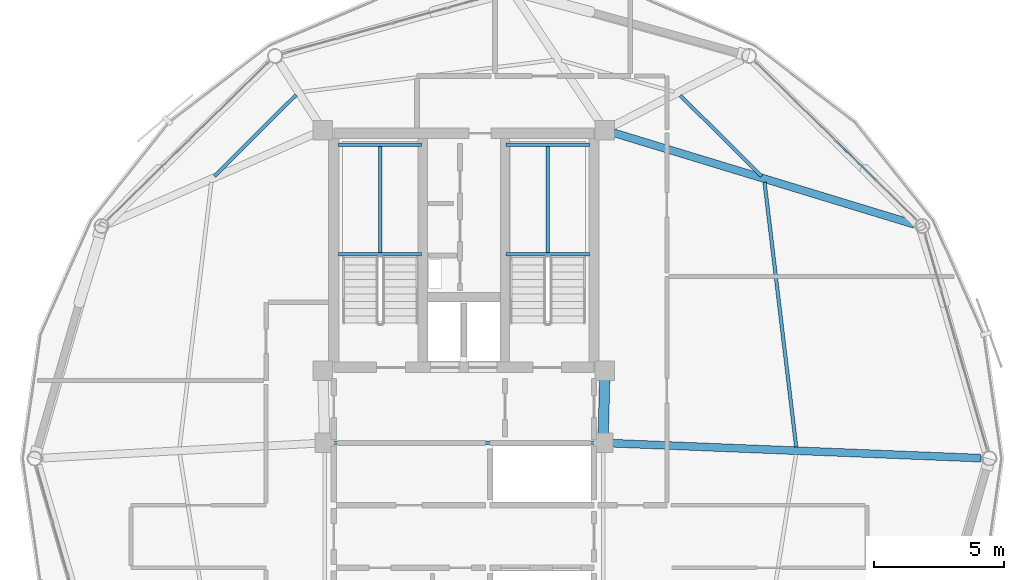
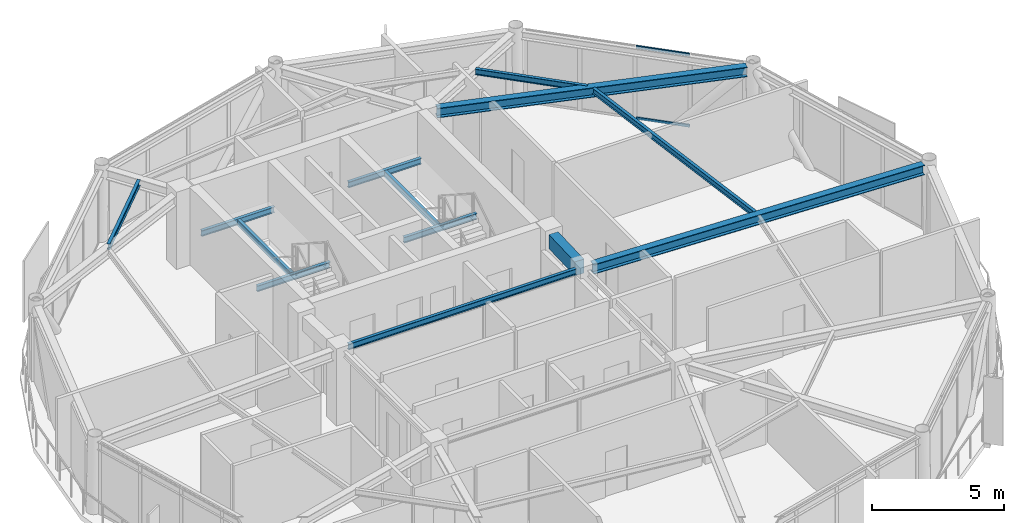
# One storey, part 14 of 26: 13 beams, 2 members, 1 element without a shape of its own.
"""IFC4 building model written with IfcOpenShell, lengths in metres."""

from ifc_helpers import new_model, si_unit, direction, frame, origin, origin_2d, place, context, subcontext, project, spatial, rectangle, hollow_rectangle, i_section, extrude, material, layer, layer_set, material_profile, profile_set, type_object, element, aggregate, save


model = new_model("IFC4")

# Units and contexts
model_context = context("Model", 3, precision=1e-05, world=origin(), true_north=direction((0.0, 1.0)))
body_context = subcontext(model_context, "Body", "Model", "MODEL_VIEW")
ifc_project = project(units=[si_unit("LENGTHUNIT", "METRE"), si_unit("AREAUNIT", "SQUARE_METRE"), si_unit("VOLUMEUNIT", "CUBIC_METRE"), si_unit("PLANEANGLEUNIT", "RADIAN"), si_unit("MASSUNIT", "GRAM", prefix="KILO")], contexts=[model_context])

# Site, building, storey
site_placement = place(None, origin())
site = spatial("IfcSite", under=ifc_project, at=site_placement, CompositionType="ELEMENT")
building_placement = place(site_placement, origin())
building = spatial("IfcBuilding", under=site, at=building_placement, Name="Varnakorn Sky Granary", CompositionType="ELEMENT")
storey_placement = place(building_placement, frame((0.0, 0.0, 256.199951171875)))
storey = spatial("IfcBuildingStorey", under=building, at=storey_placement, Name="L65", CompositionType="ELEMENT", Elevation=256.199951171875)

# Beams
ifc_material_1 = material(Name="Concrete C50/60", Category="concrete")
ifc_material_profile_1 = material_profile(ifc_material_1, rectangle(XDim=0.39990234375, YDim=0.64990234375, at=origin_2d()), Name="RC 400x650")
ifc_profile_set_1 = profile_set([ifc_material_profile_1], Name="Concrete C50/60")
beam_type_1 = type_object("IfcBeamType", Name="BM-LIN-650", PredefinedType="LINTEL", material=ifc_profile_set_1)
beam_1_placement = place(storey_placement, frame((8.4111328125, 3.025146484375, 3.03515625), z_axis=(-0.025227817192, -0.999681727971, 0.0), x_axis=(0.999681727971, -0.025227817192, 0.0)))
element("IfcBeam", 1, at=beam_1_placement, inside=storey, type_object=beam_type_1, Name="Core Spine Framing Beam 2 L65", PredefinedType="LINTEL", context=body_context, shape_type="SweptSolid", body=[
    extrude(rectangle(XDim=0.39990234375, YDim=0.64990234375, at=origin_2d()), origin(), (0.0, 0.0, 1.0), 2.071044921875),
])
ifc_material_2 = material(Name="Steel S355JR", Category="steel")
ifc_material_profile_2 = material_profile(ifc_material_2, i_section(OverallWidth=0.135009765625, OverallDepth=0.27001953125, WebThickness=0.006591796875, FlangeThickness=0.01025390625, at=origin_2d()), Name="IPE 270")
ifc_profile_set_2 = profile_set([ifc_material_profile_2], Name="Steel S355JR")
beam_type_2 = type_object("IfcBeamType", Name="BM-LND-270", PredefinedType="BEAM", material=ifc_profile_set_2)
for number, where, z_axis, x_axis, name in (
    (2, (-1.820068359375, 7.840087890625, 1.465087890625), (1.0, 0.0, 0.0), (0.0, 1.0, 0.0), "Stair ST-1 Landing Trimmer Beam A L65-1"),
    (3, (-1.820068359375, 12.06005859375, 1.465087890625), (1.0, 0.0, 0.0), (0.0, 1.0, 0.0), "Stair ST-1 Landing Trimmer Beam B L65-1"),
):
    element("IfcBeam", number, at=place(storey_placement, frame(where, z_axis=z_axis, x_axis=x_axis)), inside=storey, type_object=beam_type_2, Name=name, PredefinedType="BEAM", context=body_context, shape_type="SweptSolid", body=[
        extrude(i_section(OverallWidth=0.135009765625, OverallDepth=0.27001953125, WebThickness=0.006591796875, FlangeThickness=0.01025390625, at=origin_2d()), origin(), (0.0, 0.0, 1.0), 3.199951171875),
    ])
beam_2_placement = place(storey_placement, frame((-0.219970703125, 7.840087890625, 1.465087890625), z_axis=(0.0, 1.0, 0.0), x_axis=(-1.0, 0.0, 0.0)))
element("IfcBeam", 4, at=beam_2_placement, inside=storey, type_object=beam_type_2, Name="Stair ST-1 Landing Cross Beam C L65-1", PredefinedType="BEAM", context=body_context, shape_type="SweptSolid", body=[
    extrude(i_section(OverallWidth=0.135009765625, OverallDepth=0.27001953125, WebThickness=0.006591796875, FlangeThickness=0.01025390625, at=origin_2d()), origin(), (0.0, 0.0, 1.0), 4.219970703125),
])
for number, where, z_axis, x_axis, name in (
    (5, (4.6201171875, 7.840087890625, 1.465087890625), (1.0, 0.0, 0.0), (0.0, 1.0, 0.0), "Stair ST-2 Landing Trimmer Beam A L65-1"),
    (6, (4.6201171875, 12.06005859375, 1.465087890625), (1.0, 0.0, 0.0), (0.0, 1.0, 0.0), "Stair ST-2 Landing Trimmer Beam B L65-1"),
):
    element("IfcBeam", number, at=place(storey_placement, frame(where, z_axis=z_axis, x_axis=x_axis)), inside=storey, type_object=beam_type_2, Name=name, PredefinedType="BEAM", context=body_context, shape_type="SweptSolid", body=[
        extrude(i_section(OverallWidth=0.135009765625, OverallDepth=0.27001953125, WebThickness=0.006591796875, FlangeThickness=0.01025390625, at=origin_2d()), origin(), (0.0, 0.0, 1.0), 3.199951171875),
    ])
beam_3_placement = place(storey_placement, frame((6.219970703125, 7.840087890625, 1.465087890625), z_axis=(0.0, 1.0, 0.0), x_axis=(-1.0, 0.0, 0.0)))
element("IfcBeam", 7, at=beam_3_placement, inside=storey, type_object=beam_type_2, Name="Stair ST-2 Landing Cross Beam C L65-1", PredefinedType="BEAM", context=body_context, shape_type="SweptSolid", body=[
    extrude(i_section(OverallWidth=0.135009765625, OverallDepth=0.27001953125, WebThickness=0.006591796875, FlangeThickness=0.01025390625, at=origin_2d()), origin(), (0.0, 0.0, 1.0), 4.219970703125),
])
ifc_material_profile_3 = material_profile(ifc_material_2, i_section(OverallWidth=0.300048828125, OverallDepth=0.449951171875, WebThickness=0.013916015625, FlangeThickness=0.02587890625, at=origin_2d()), Name="HE 450 B")
ifc_profile_set_3 = profile_set([ifc_material_profile_3], Name="Steel S355JR")
beam_type_3 = type_object("IfcBeamType", Name="BM-RAD-Z5", PredefinedType="BEAM", material=ifc_profile_set_3)
beam_4_placement = place(storey_placement, frame((8.70458984375, 0.585693359375, 3.135009765625), z_axis=(0.999178198595, -0.040533041491, 0.0), x_axis=(0.040533041491, 0.999178198595, 0.0)))
element("IfcBeam", 8, at=beam_4_placement, inside=storey, type_object=beam_type_3, Name="Radial Floor Girder RG01 L65", PredefinedType="BEAM", context=body_context, shape_type="SweptSolid", body=[
    extrude(i_section(OverallWidth=0.300048828125, OverallDepth=0.449951171875, WebThickness=0.013916015625, FlangeThickness=0.02587890625, at=origin_2d()), origin(), (0.0, 0.0, 1.0), 14.184814453125),
])
beam_5_placement = place(storey_placement, frame((8.759521484375, 12.5166015625, 3.135009765625), z_axis=(0.956611965698, -0.2913649723, 0.0), x_axis=(0.2913649723, 0.956611965698, 0.0)))
element("IfcBeam", 9, at=beam_5_placement, inside=storey, type_object=beam_type_3, Name="Radial Floor Girder RG02 L65", PredefinedType="BEAM", context=body_context, shape_type="SweptSolid", body=[
    extrude(i_section(OverallWidth=0.300048828125, OverallDepth=0.449951171875, WebThickness=0.013916015625, FlangeThickness=0.02587890625, at=origin_2d()), origin(), (0.0, 0.0, 1.0), 12.086181640625),
])
ifc_material_profile_4 = material_profile(ifc_material_2, i_section(OverallWidth=0.135009765625, OverallDepth=0.27001953125, WebThickness=0.006591796875, FlangeThickness=0.01025390625, at=origin_2d()), Name="IPE 270")
ifc_profile_set_4 = profile_set([ifc_material_profile_4], Name="Steel S355JR")
beam_type_4 = type_object("IfcBeamType", Name="BM-SEC-Z5", PredefinedType="BEAM", material=ifc_profile_set_4)
beam_6_placement = place(storey_placement, frame((15.774658203125, 0.437255859375, 3.22509765625), z_axis=(-0.118760206825, 0.992922964421, 0.0), x_axis=(-0.992922964421, -0.118760206825, 0.0)))
element("IfcBeam", 10, at=beam_6_placement, inside=storey, type_object=beam_type_4, Name="Secondary Floor Chord Beam MSB01 L65", PredefinedType="BEAM", context=body_context, shape_type="SweptSolid", body=[
    extrude(i_section(OverallWidth=0.135009765625, OverallDepth=0.27001953125, WebThickness=0.006591796875, FlangeThickness=0.01025390625, at=origin_2d()), origin(), (0.0, 0.0, 1.0), 10.251953125),
])
beam_7_placement = place(storey_placement, frame((14.441162109375, 10.8544921875, 3.22509765625), z_axis=(-0.710094048692, 0.704106839913, 0.0), x_axis=(-0.704106839913, -0.710094048692, 0.0)))
element("IfcBeam", 11, at=beam_7_placement, inside=storey, type_object=beam_type_4, Name="Secondary Floor Chord Beam MSB02 L65", PredefinedType="BEAM", context=body_context, shape_type="SweptSolid", body=[
    extrude(i_section(OverallWidth=0.135009765625, OverallDepth=0.27001953125, WebThickness=0.006591796875, FlangeThickness=0.01025390625, at=origin_2d()), origin(), (0.0, 0.0, 1.0), 4.40380859375),
])
beam_8_placement = place(storey_placement, frame((-3.447998046875, 13.97265625, 3.22509765625), z_axis=(-0.709170590224, -0.70503693092, 0.0), x_axis=(0.70503693092, -0.709170590224, 0.0)))
element("IfcBeam", 12, at=beam_8_placement, inside=storey, type_object=beam_type_4, Name="Secondary Floor Chord Beam MSB05 L65", PredefinedType="BEAM", context=body_context, shape_type="SweptSolid", body=[
    extrude(i_section(OverallWidth=0.135009765625, OverallDepth=0.27001953125, WebThickness=0.006591796875, FlangeThickness=0.01025390625, at=origin_2d()), origin(), (0.0, 0.0, 1.0), 4.4296875),
])
beam_9_placement = place(storey_placement, frame((-1.9951171875, 0.60009765625, 3.22509765625), z_axis=(1.0, 0.0, 0.0), x_axis=(0.0, 1.0, 0.0)))
element("IfcBeam", 13, at=beam_9_placement, inside=storey, type_object=beam_type_4, Name="Core Spine Framing Beam 5 L65", PredefinedType="BEAM", context=body_context, shape_type="SweptSolid", body=[
    extrude(i_section(OverallWidth=0.135009765625, OverallDepth=0.27001953125, WebThickness=0.006591796875, FlangeThickness=0.01025390625, at=origin_2d()), origin(), (0.0, 0.0, 1.0), 9.990234375),
])

# Curtain wall, members
ifc_material_3 = material(Name="Anodised Bronze Aluminium Alloy 6063-T6", Category="aluminium")
ifc_layer = layer(ifc_material_3, 0.159912109375, Name="Anodised Bronze Aluminium Alloy 6063-T6")
ifc_layer_set = layer_set([ifc_layer], Name="Anodised Bronze Aluminium Alloy 6063-T6")
curtain_wall_type = type_object("IfcCurtainWallType", Name="CW-OFF-1", PredefinedType="USERDEFINED", material=ifc_layer_set)
curtain_wall_placement = place(storey_placement, origin())
curtain_wall = element("IfcCurtainWall", 14, at=curtain_wall_placement, inside=storey, type_object=curtain_wall_type, Name="Unitised Curtain Wall CW6 CW-L65-B02", ObjectType="CURTAIN WALL", PredefinedType="USERDEFINED")
ifc_material_profile_5 = material_profile(ifc_material_3, hollow_rectangle(XDim=0.06494140625, YDim=0.1201171875, WallThickness=0.00341796875, at=origin_2d()), Name="ALU TRAN 65x120")
ifc_profile_set_5 = profile_set([ifc_material_profile_5], Name="Anodised Bronze Aluminium Alloy 6063-T6")
member_type = type_object("IfcMemberType", Name="CW-OFF-1-TRAN", PredefinedType="USERDEFINED", material=ifc_profile_set_5)
member_1_placement = place(storey_placement, frame((17.321044921875, 12.1826171875, 0.032470703125), z_axis=(0.714102454524, -0.700041201961, 0.0), x_axis=(0.700041201961, 0.714102454524, 0.0)))
member_1 = element("IfcMember", 15, at=member_1_placement, type_object=member_type, Name="CW6 transom 3.1", ObjectType="TRANSOM", PredefinedType="USERDEFINED", context=body_context, shape_type="SweptSolid", body=[
    extrude(hollow_rectangle(XDim=0.06494140625, YDim=0.1201171875, WallThickness=0.00341796875, at=origin_2d()), origin(), (0.0, 0.0, 1.0), 2.100830078125),
])
member_2_placement = place(storey_placement, frame((17.321044921875, 12.1826171875, 3.32763671875), z_axis=(0.714102454524, -0.700041201961, 0.0), x_axis=(0.700041201961, 0.714102454524, 0.0)))
member_2 = element("IfcMember", 16, at=member_2_placement, type_object=member_type, Name="CW6 transom 3.2", ObjectType="TRANSOM", PredefinedType="USERDEFINED", context=body_context, shape_type="SweptSolid", body=[
    extrude(hollow_rectangle(XDim=0.06494140625, YDim=0.1201171875, WallThickness=0.00341796875, at=origin_2d()), origin(), (0.0, 0.0, 1.0), 2.100830078125),
])
aggregate(curtain_wall, [member_1, member_2])

save(model, "model.ifc")
